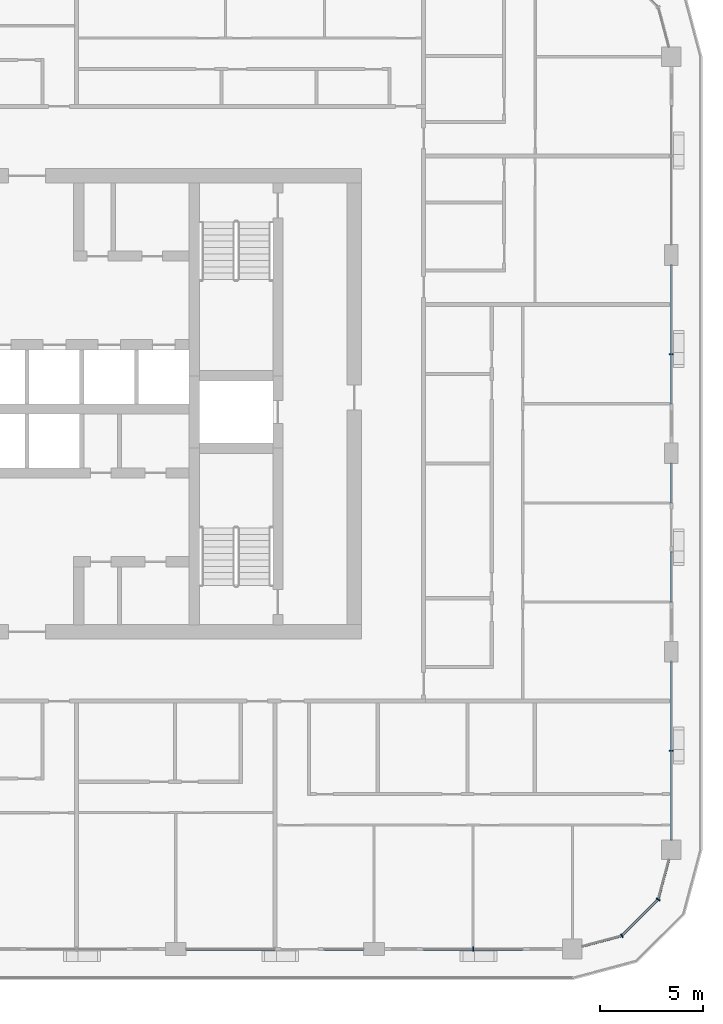
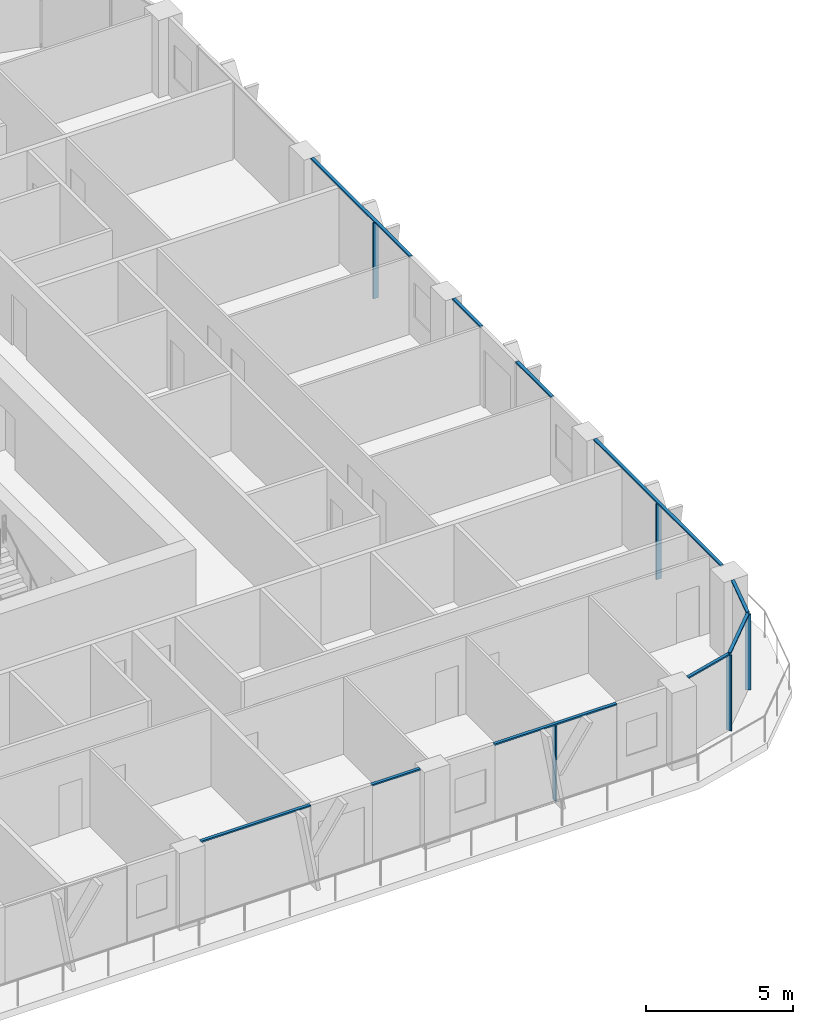
# One storey, part 4 of 22: 15 members, 6 elements without a shape of their own.
"""IFC4 building model written with IfcOpenShell, lengths in metres."""

from ifc_helpers import new_model, si_unit, direction, frame, origin, origin_2d, place, context, subcontext, project, spatial, rectangle, extrude, material, layer, layer_set, material_profile, profile_set, type_object, element, aggregate, save


model = new_model("IFC4")

# Units and contexts
model_context = context("Model", 3, precision=1e-05, world=origin(), true_north=direction((0.0, 1.0)))
body_context = subcontext(model_context, "Body", "Model", "MODEL_VIEW")
ifc_project = project(units=[si_unit("LENGTHUNIT", "METRE"), si_unit("AREAUNIT", "SQUARE_METRE"), si_unit("VOLUMEUNIT", "CUBIC_METRE"), si_unit("PLANEANGLEUNIT", "RADIAN"), si_unit("MASSUNIT", "GRAM", prefix="KILO")], contexts=[model_context])

# Site, building, storey
site_placement = place(None, origin())
site = spatial("IfcSite", under=ifc_project, at=site_placement, CompositionType="ELEMENT")
building_placement = place(site_placement, origin())
building = spatial("IfcBuilding", under=site, at=building_placement, Name="Madar Terraces", CompositionType="ELEMENT")
storey_placement = place(building_placement, frame((0.0, 0.0, 178.89990234375)))
storey = spatial("IfcBuildingStorey", under=building, at=storey_placement, Name="L46", CompositionType="ELEMENT", Elevation=178.89990234375)

# Curtain wall, member
ifc_material_1 = material(Name="Glass, ceramic frit dark grey, with black aluminium frame", Category="aluminium")
ifc_layer = layer(ifc_material_1, 0.199951171875)
ifc_layer_set = layer_set([ifc_layer], Name="Facade curtain wall, fritted glass")
curtain_wall_type = type_object("IfcCurtainWallType", Name="Facade curtain wall, fritted glass", PredefinedType="NOTDEFINED", material=ifc_layer_set)
curtain_wall_1_placement = place(storey_placement, origin())
curtain_wall_1 = element("IfcCurtainWall", 1, at=curtain_wall_1_placement, inside=storey, type_object=curtain_wall_type, Name="Outer skin curtain wall south bay 5", PredefinedType="NOTDEFINED")
ifc_material_2 = material(Name="Aluminium, black anodised", Category="aluminium")
ifc_material_profile_1 = material_profile(ifc_material_2, rectangle(XDim=0.199951171875, YDim=0.06005859375, at=origin_2d()), Name="Facade mullion 60x200")
ifc_profile_set_1 = profile_set([ifc_material_profile_1], Name="Aluminium, black anodised")
member_type_1 = type_object("IfcMemberType", Name="Facade mullion 60x200", PredefinedType="MULLION", material=ifc_profile_set_1)
member_1_placement = place(storey_placement, frame((52.800048828125, 0.0, 0.0), z_axis=(0.0, 0.0, 1.0), x_axis=(0.0, 1.0, 0.0)))
member_1 = element("IfcMember", 2, at=member_1_placement, type_object=member_type_1, Name="Mullion 1", PredefinedType="MULLION", context=body_context, shape_type="SweptSolid", body=[
    extrude(rectangle(XDim=0.199951171875, YDim=0.06005859375, at=origin_2d()), origin(), (0.0, 0.0, 1.0), 3.14013671875),
])

curtain_wall_2_placement = place(storey_placement, origin())
curtain_wall_2 = element("IfcCurtainWall", 3, at=curtain_wall_2_placement, inside=storey, type_object=curtain_wall_type, Name="Outer skin curtain wall east bay 1", PredefinedType="NOTDEFINED")
member_2_placement = place(storey_placement, frame((62.39990234375, 9.60009765625, 0.0), z_axis=(0.0, 0.0, 1.0), x_axis=(-1.0, 0.0, 0.0)))
member_2 = element("IfcMember", 4, at=member_2_placement, type_object=member_type_1, Name="Mullion 1", PredefinedType="MULLION", context=body_context, shape_type="SweptSolid", body=[
    extrude(rectangle(XDim=0.199951171875, YDim=0.06005859375, at=origin_2d()), origin(), (0.0, 0.0, 1.0), 3.14013671875),
])

curtain_wall_3_placement = place(storey_placement, origin())
curtain_wall_3 = element("IfcCurtainWall", 5, at=curtain_wall_3_placement, inside=storey, type_object=curtain_wall_type, Name="Outer skin curtain wall east bay 3", PredefinedType="NOTDEFINED")
member_3_placement = place(storey_placement, frame((62.39990234375, 28.800048828125, 0.0), z_axis=(0.0, 0.0, 1.0), x_axis=(-1.0, 0.0, 0.0)))
member_3 = element("IfcMember", 6, at=member_3_placement, type_object=member_type_1, Name="Mullion 1", PredefinedType="MULLION", context=body_context, shape_type="SweptSolid", body=[
    extrude(rectangle(XDim=0.199951171875, YDim=0.06005859375, at=origin_2d()), origin(), (0.0, 0.0, 1.0), 3.14013671875),
])

# Curtain wall, members
curtain_wall_4_placement = place(storey_placement, origin())
curtain_wall_4 = element("IfcCurtainWall", 7, at=curtain_wall_4_placement, inside=storey, type_object=curtain_wall_type, Name="Outer skin curtain wall south-east corner", PredefinedType="NOTDEFINED")
member_4_placement = place(storey_placement, frame((60.0, 0.64306640625, 0.0), z_axis=(0.0, 0.0, 1.0), x_axis=(-0.499999989586, 0.866025409797, 0.0)))
member_4 = element("IfcMember", 8, at=member_4_placement, type_object=member_type_1, Name="Mullion 1", PredefinedType="MULLION", context=body_context, shape_type="SweptSolid", body=[
    extrude(rectangle(XDim=0.199951171875, YDim=0.06005859375, at=origin_2d()), origin(), (0.0, 0.0, 1.0), 3.14013671875),
])
member_5_placement = place(storey_placement, frame((61.7568359375, 2.39990234375, 0.0), z_axis=(0.0, 0.0, 1.0), x_axis=(-0.866025409797, 0.499999989586, 0.0)))
member_5 = element("IfcMember", 9, at=member_5_placement, type_object=member_type_1, Name="Mullion 2", PredefinedType="MULLION", context=body_context, shape_type="SweptSolid", body=[
    extrude(rectangle(XDim=0.199951171875, YDim=0.06005859375, at=origin_2d()), origin(), (0.0, 0.0, 1.0), 3.14013671875),
])

curtain_wall_5_placement = place(storey_placement, origin())
curtain_wall_5 = element("IfcCurtainWall", 10, at=curtain_wall_5_placement, inside=storey, type_object=curtain_wall_type, Name="Outer skin curtain wall south bay 4", PredefinedType="NOTDEFINED")
ifc_material_3 = material(Name="Aluminium, black anodised", Category="aluminium")
ifc_material_profile_2 = material_profile(ifc_material_3, rectangle(XDim=0.1201171875, YDim=0.06005859375, at=origin_2d()), Name="Facade transom 60x120")
ifc_profile_set_2 = profile_set([ifc_material_profile_2], Name="Aluminium, black anodised")
member_type_2 = type_object("IfcMemberType", Name="Facade transom 60x120", PredefinedType="USERDEFINED", material=ifc_profile_set_2)
member_6_placement = place(storey_placement, frame((38.89990234375, 0.0, 3.170166015625), z_axis=(1.0, 0.0, 0.0), x_axis=(0.0, 1.0, 0.0)))
member_6 = element("IfcMember", 11, at=member_6_placement, type_object=member_type_2, Name="Transom 1", ObjectType="TRANSOM", PredefinedType="USERDEFINED", context=body_context, shape_type="SweptSolid", body=[
    extrude(rectangle(XDim=0.1201171875, YDim=0.06005859375, at=origin_2d()), origin(), (0.0, 0.0, 1.0), 4.300048828125),
])
member_7_placement = place(storey_placement, frame((45.60009765625, 0.0, 3.170166015625), z_axis=(1.0, 0.0, 0.0), x_axis=(0.0, 1.0, 0.0)))
member_7 = element("IfcMember", 12, at=member_7_placement, type_object=member_type_2, Name="Transom 2", ObjectType="TRANSOM", PredefinedType="USERDEFINED", context=body_context, shape_type="SweptSolid", body=[
    extrude(rectangle(XDim=0.1201171875, YDim=0.06005859375, at=origin_2d()), origin(), (0.0, 0.0, 1.0), 1.89990234375),
])
aggregate(curtain_wall_5, [member_6, member_7])

# Member
member_8_placement = place(storey_placement, frame((50.39990234375, 0.0, 3.170166015625), z_axis=(1.0, 0.0, 0.0), x_axis=(0.0, 1.0, 0.0)))
member_8 = element("IfcMember", 13, at=member_8_placement, type_object=member_type_2, Name="Transom 1", ObjectType="TRANSOM", PredefinedType="USERDEFINED", context=body_context, shape_type="SweptSolid", body=[
    extrude(rectangle(XDim=0.1201171875, YDim=0.06005859375, at=origin_2d()), origin(), (0.0, 0.0, 1.0), 4.800048828125),
])

aggregate(curtain_wall_1, [member_1, member_8])

member_9_placement = place(storey_placement, frame((62.39990234375, 5.27490234375, 3.170166015625), z_axis=(0.0, 1.0, 0.0), x_axis=(-1.0, 0.0, 0.0)))
member_9 = element("IfcMember", 14, at=member_9_placement, type_object=member_type_2, Name="Transom 1", ObjectType="TRANSOM", PredefinedType="USERDEFINED", context=body_context, shape_type="SweptSolid", body=[
    extrude(rectangle(XDim=0.1201171875, YDim=0.06005859375, at=origin_2d()), origin(), (0.0, 0.0, 1.0), 8.625),
])

aggregate(curtain_wall_2, [member_2, member_9])

# Curtain wall, members
curtain_wall_6_placement = place(storey_placement, origin())
curtain_wall_6 = element("IfcCurtainWall", 15, at=curtain_wall_6_placement, inside=storey, type_object=curtain_wall_type, Name="Outer skin curtain wall east bay 2", PredefinedType="NOTDEFINED")
member_10_placement = place(storey_placement, frame((62.39990234375, 16.800048828125, 3.170166015625), z_axis=(0.0, 1.0, 0.0), x_axis=(-1.0, 0.0, 0.0)))
member_10 = element("IfcMember", 16, at=member_10_placement, type_object=member_type_2, Name="Transom 1", ObjectType="TRANSOM", PredefinedType="USERDEFINED", context=body_context, shape_type="SweptSolid", body=[
    extrude(rectangle(XDim=0.1201171875, YDim=0.06005859375, at=origin_2d()), origin(), (0.0, 0.0, 1.0), 2.39990234375),
])
member_11_placement = place(storey_placement, frame((62.39990234375, 21.60009765625, 3.170166015625), z_axis=(0.0, 1.0, 0.0), x_axis=(-1.0, 0.0, 0.0)))
member_11 = element("IfcMember", 17, at=member_11_placement, type_object=member_type_2, Name="Transom 2", ObjectType="TRANSOM", PredefinedType="USERDEFINED", context=body_context, shape_type="SweptSolid", body=[
    extrude(rectangle(XDim=0.1201171875, YDim=0.06005859375, at=origin_2d()), origin(), (0.0, 0.0, 1.0), 1.89990234375),
])
aggregate(curtain_wall_6, [member_10, member_11])

# Member
member_12_placement = place(storey_placement, frame((62.39990234375, 26.39990234375, 3.170166015625), z_axis=(0.0, 1.0, 0.0), x_axis=(-1.0, 0.0, 0.0)))
member_12 = element("IfcMember", 18, at=member_12_placement, type_object=member_type_2, Name="Transom 1", ObjectType="TRANSOM", PredefinedType="USERDEFINED", context=body_context, shape_type="SweptSolid", body=[
    extrude(rectangle(XDim=0.1201171875, YDim=0.06005859375, at=origin_2d()), origin(), (0.0, 0.0, 1.0), 6.7001953125),
])

aggregate(curtain_wall_3, [member_3, member_12])

member_13_placement = place(storey_placement, frame((58.074951171875, 0.127197265625, 3.170166015625), z_axis=(0.96592251241, 0.258831412352, 0.0), x_axis=(-0.258831412352, 0.96592251241, 0.0)))
member_13 = element("IfcMember", 19, at=member_13_placement, type_object=member_type_2, Name="Transom 1", ObjectType="TRANSOM", PredefinedType="USERDEFINED", context=body_context, shape_type="SweptSolid", body=[
    extrude(rectangle(XDim=0.1201171875, YDim=0.06005859375, at=origin_2d()), origin(), (0.0, 0.0, 1.0), 1.962890625),
])

member_14_placement = place(storey_placement, frame((60.021240234375, 0.664306640625, 3.170166015625), z_axis=(0.707056433593, 0.707157125196, 0.0), x_axis=(-0.707157125196, 0.707056433593, 0.0)))
member_14 = element("IfcMember", 20, at=member_14_placement, type_object=member_type_2, Name="Transom 2", ObjectType="TRANSOM", PredefinedType="USERDEFINED", context=body_context, shape_type="SweptSolid", body=[
    extrude(rectangle(XDim=0.1201171875, YDim=0.06005859375, at=origin_2d()), origin(), (0.0, 0.0, 1.0), 2.424560546875),
])

member_15_placement = place(storey_placement, frame((61.7646484375, 2.428955078125, 3.170166015625), z_axis=(0.258831412352, 0.96592251241, 0.0), x_axis=(-0.96592251241, 0.258831412352, 0.0)))
member_15 = element("IfcMember", 21, at=member_15_placement, type_object=member_type_2, Name="Transom 3", ObjectType="TRANSOM", PredefinedType="USERDEFINED", context=body_context, shape_type="SweptSolid", body=[
    extrude(rectangle(XDim=0.1201171875, YDim=0.06005859375, at=origin_2d()), origin(), (0.0, 0.0, 1.0), 1.962890625),
])

aggregate(curtain_wall_4, [member_4, member_13, member_5, member_14, member_15])

save(model, "model.ifc")
